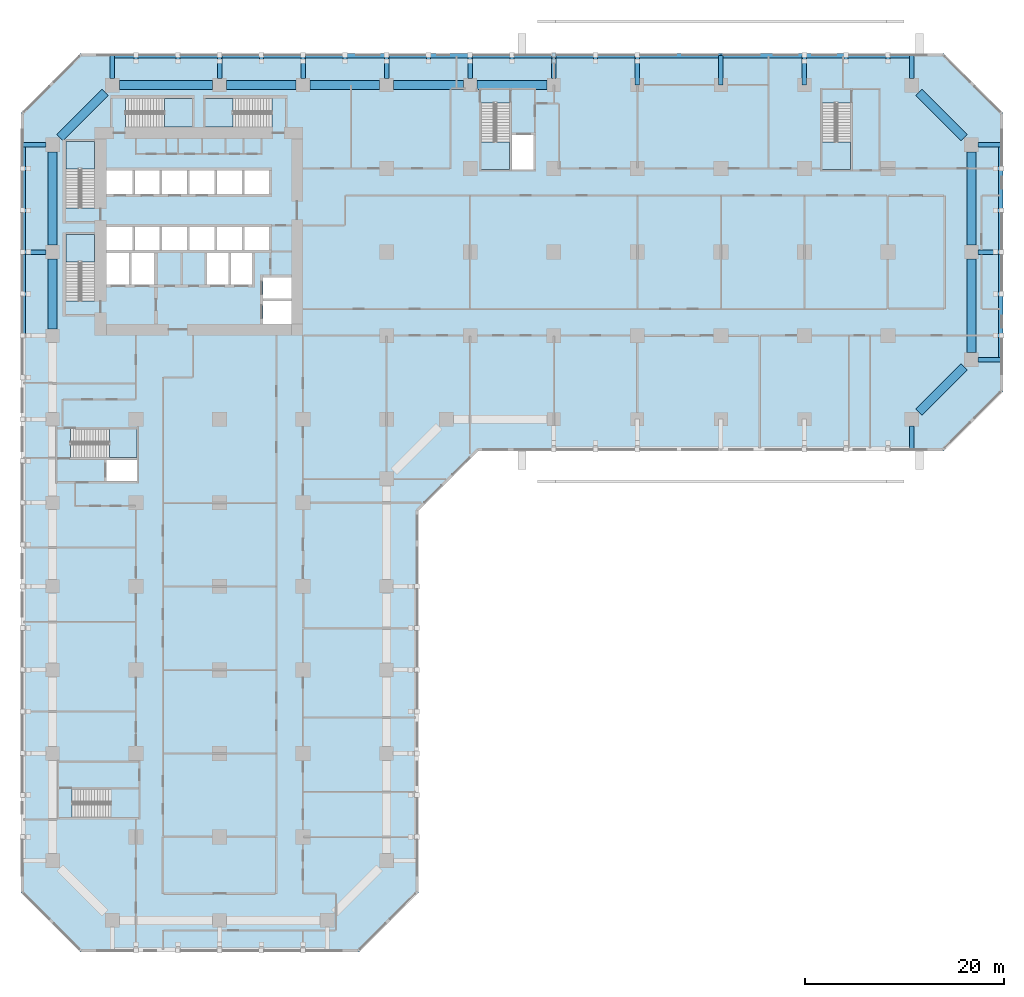
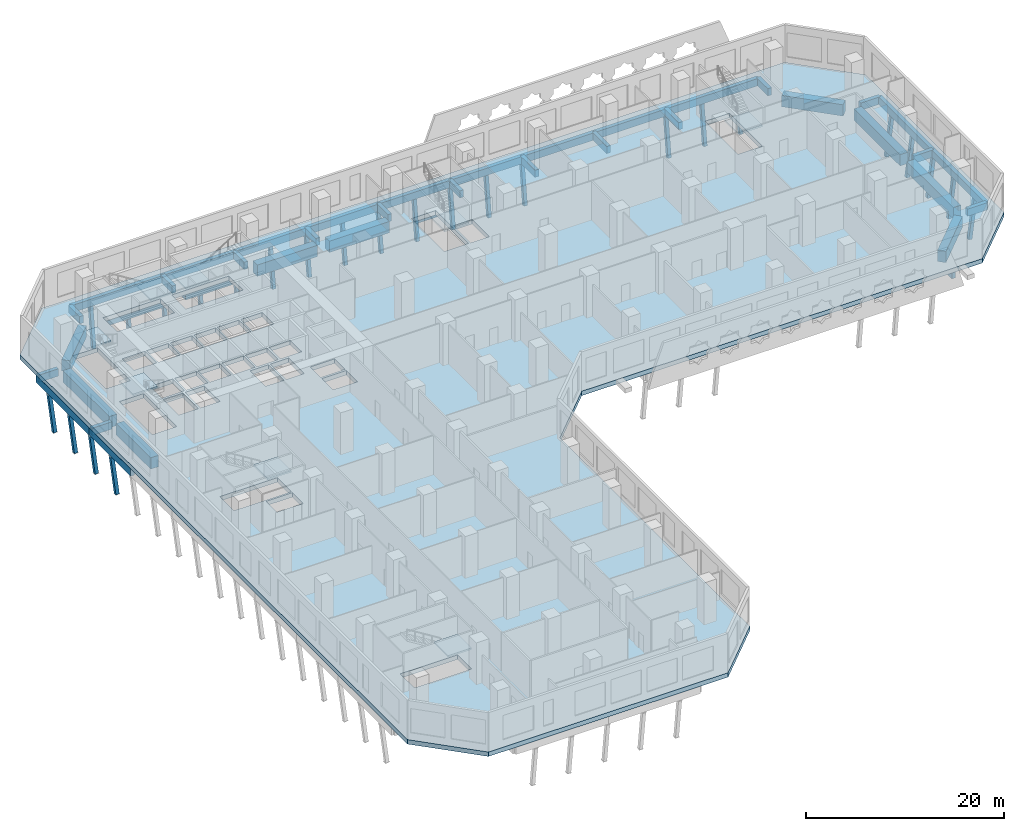
# One storey, part 2 of 21: 41 beams, 25 members, 9 slabs, 8 elements without a shape of their own.
"""IFC4 building model written with IfcOpenShell, lengths in metres."""

from ifc_helpers import new_model, si_unit, direction, frame, origin, origin_2d, place, context, subcontext, project, spatial, polyline, rectangle, hollow_rectangle, outline, extrude, material, layer, layer_set, material_profile, profile_set, type_object, element, aggregate, save


model = new_model("IFC4")

# Units and contexts
model_context = context("Model", 3, precision=1e-05, world=origin(), true_north=direction((0.0, 1.0)))
body_context = subcontext(model_context, "Body", "Model", "MODEL_VIEW")
ifc_project = project(units=[si_unit("LENGTHUNIT", "METRE"), si_unit("AREAUNIT", "SQUARE_METRE"), si_unit("VOLUMEUNIT", "CUBIC_METRE"), si_unit("PLANEANGLEUNIT", "RADIAN"), si_unit("MASSUNIT", "GRAM", prefix="KILO")], contexts=[model_context])

# Site, building, storey
site_placement = place(None, origin())
site = spatial("IfcSite", under=ifc_project, at=site_placement, CompositionType="ELEMENT")
building_placement = place(site_placement, origin())
building = spatial("IfcBuilding", under=site, at=building_placement, Name="Kawkab Arch Medical Tower", CompositionType="ELEMENT")
storey_placement = place(building_placement, frame((0.0, 0.0, 23.800048828125)))
storey = spatial("IfcBuildingStorey", under=building, at=storey_placement, Name="L05", CompositionType="ELEMENT", Elevation=23.800048828125)

# Beams
ifc_material_1 = material(Name="Concrete C60/75", Category="concrete")
ifc_material_profile_1 = material_profile(ifc_material_1, rectangle(XDim=0.449951171875, YDim=0.89990234375, at=origin_2d()), Name="RC 450x900")
ifc_profile_set_1 = profile_set([ifc_material_profile_1], Name="Concrete C60/75")
beam_type_1 = type_object("IfcBeamType", Name="Podium edge beam RC 450x900 C60/75", PredefinedType="BEAM", material=ifc_profile_set_1)
beam_1_placement = place(storey_placement, frame((-2.97509765625, -6.0, -1.0), z_axis=(0.0, -1.0, 0.0), x_axis=(1.0, 0.0, 0.0)))
element("IfcBeam", 1, at=beam_1_placement, inside=storey, type_object=beam_type_1, Name="Podium edge beam L05 R01.1", PredefinedType="BEAM", context=body_context, shape_type="SweptSolid", body=[
    extrude(rectangle(XDim=0.449951171875, YDim=0.89990234375, at=origin_2d()), origin(), (0.0, 0.0, 1.0), 10.800048828125),
])
beam_2_placement = place(storey_placement, frame((-2.97509765625, -16.800048828125, -1.0), z_axis=(0.0, -1.0, 0.0), x_axis=(1.0, 0.0, 0.0)))
element("IfcBeam", 2, at=beam_2_placement, inside=storey, type_object=beam_type_1, Name="Podium edge beam L05 R01.2", PredefinedType="BEAM", context=body_context, shape_type="SweptSolid", body=[
    extrude(rectangle(XDim=0.449951171875, YDim=0.89990234375, at=origin_2d()), origin(), (0.0, 0.0, 1.0), 8.39990234375),
])
beam_3_placement = place(storey_placement, frame((-0.675048828125, -6.0, -1.0), z_axis=(-1.0, 0.0, 0.0), x_axis=(0.0, -1.0, 0.0)))
element("IfcBeam", 3, at=beam_3_placement, inside=storey, type_object=beam_type_1, Name="Podium cantilever beam L05 R01.1", PredefinedType="BEAM", context=body_context, shape_type="SweptSolid", body=[
    extrude(rectangle(XDim=0.449951171875, YDim=0.89990234375, at=origin_2d()), origin(), (0.0, 0.0, 1.0), 2.300048828125),
])
beam_4_placement = place(storey_placement, frame((-0.64990234375, -16.800048828125, -1.0), z_axis=(-1.0, 0.0, 0.0), x_axis=(0.0, -1.0, 0.0)))
element("IfcBeam", 4, at=beam_4_placement, inside=storey, type_object=beam_type_1, Name="Podium cantilever beam L05 R01.2", PredefinedType="BEAM", context=body_context, shape_type="SweptSolid", body=[
    extrude(rectangle(XDim=0.449951171875, YDim=0.89990234375, at=origin_2d()), origin(), (0.0, 0.0, 1.0), 2.3251953125),
])
beam_5_placement = place(storey_placement, frame((86.39990234375, -34.27490234375, -1.0), z_axis=(0.0, -1.0, 0.0), x_axis=(1.0, 0.0, 0.0)))
element("IfcBeam", 5, at=beam_5_placement, inside=storey, type_object=beam_type_1, Name="Podium cantilever beam L05 R07.5", PredefinedType="BEAM", context=body_context, shape_type="SweptSolid", body=[
    extrude(rectangle(XDim=0.449951171875, YDim=0.89990234375, at=origin_2d()), origin(), (0.0, 0.0, 1.0), 2.300048828125),
])
for number, where, z_axis, x_axis, name in (
    (6, (95.375, -27.60009765625, -1.0), (0.0, 1.0, 0.0), (-1.0, 0.0, 0.0), "Podium edge beam L05 R09.1"),
    (7, (95.375, -16.800048828125, -1.0), (0.0, 1.0, 0.0), (-1.0, 0.0, 0.0), "Podium edge beam L05 R09.2"),
):
    element("IfcBeam", number, at=place(storey_placement, frame(where, z_axis=z_axis, x_axis=x_axis)), inside=storey, type_object=beam_type_1, Name=name, PredefinedType="BEAM", context=body_context, shape_type="SweptSolid", body=[
        extrude(rectangle(XDim=0.449951171875, YDim=0.89990234375, at=origin_2d()), origin(), (0.0, 0.0, 1.0), 10.800048828125),
    ])
beam_6_placement = place(storey_placement, frame((93.074951171875, -27.60009765625, -1.0), z_axis=(1.0, 0.0, 0.0), x_axis=(0.0, 1.0, 0.0)))
element("IfcBeam", 8, at=beam_6_placement, inside=storey, type_object=beam_type_1, Name="Podium cantilever beam L05 R09.1", PredefinedType="BEAM", context=body_context, shape_type="SweptSolid", body=[
    extrude(rectangle(XDim=0.449951171875, YDim=0.89990234375, at=origin_2d()), origin(), (0.0, 0.0, 1.0), 2.300048828125),
])
beam_7_placement = place(storey_placement, frame((93.050048828125, -16.800048828125, -1.0), z_axis=(1.0, 0.0, 0.0), x_axis=(0.0, 1.0, 0.0)))
element("IfcBeam", 9, at=beam_7_placement, inside=storey, type_object=beam_type_1, Name="Podium cantilever beam L05 R09.2", PredefinedType="BEAM", context=body_context, shape_type="SweptSolid", body=[
    extrude(rectangle(XDim=0.449951171875, YDim=0.89990234375, at=origin_2d()), origin(), (0.0, 0.0, 1.0), 2.324951171875),
])
beam_8_placement = place(storey_placement, frame((93.074951171875, -6.0, -1.0), z_axis=(1.0, 0.0, 0.0), x_axis=(0.0, 1.0, 0.0)))
element("IfcBeam", 10, at=beam_8_placement, inside=storey, type_object=beam_type_1, Name="Podium cantilever beam L05 R09.3", PredefinedType="BEAM", context=body_context, shape_type="SweptSolid", body=[
    extrude(rectangle(XDim=0.449951171875, YDim=0.89990234375, at=origin_2d()), origin(), (0.0, 0.0, 1.0), 2.300048828125),
])
beam_9_placement = place(storey_placement, frame((86.39990234375, 2.97509765625, -1.0), z_axis=(-1.0, 0.0, 0.0), x_axis=(0.0, -1.0, 0.0)))
element("IfcBeam", 11, at=beam_9_placement, inside=storey, type_object=beam_type_1, Name="Podium edge beam L05 R11.1", PredefinedType="BEAM", context=body_context, shape_type="SweptSolid", body=[
    extrude(rectangle(XDim=0.449951171875, YDim=0.89990234375, at=origin_2d()), origin(), (0.0, 0.0, 1.0), 10.7998046875),
])
beam_10_placement = place(storey_placement, frame((75.60009765625, 2.97509765625, -1.0), z_axis=(-1.0, 0.0, 0.0), x_axis=(0.0, -1.0, 0.0)))
element("IfcBeam", 12, at=beam_10_placement, inside=storey, type_object=beam_type_1, Name="Podium edge beam L05 R11.2", PredefinedType="BEAM", context=body_context, shape_type="SweptSolid", body=[
    extrude(rectangle(XDim=0.449951171875, YDim=0.89990234375, at=origin_2d()), origin(), (0.0, 0.0, 1.0), 8.400146484375),
])
beam_11_placement = place(storey_placement, frame((67.199951171875, 2.97509765625, -1.0), z_axis=(-1.0, 0.0, 0.0), x_axis=(0.0, -1.0, 0.0)))
element("IfcBeam", 13, at=beam_11_placement, inside=storey, type_object=beam_type_1, Name="Podium edge beam L05 R11.3", PredefinedType="BEAM", context=body_context, shape_type="SweptSolid", body=[
    extrude(rectangle(XDim=0.449951171875, YDim=0.89990234375, at=origin_2d()), origin(), (0.0, 0.0, 1.0), 8.39990234375),
])
beam_12_placement = place(storey_placement, frame((58.800048828125, 2.97509765625, -1.0), z_axis=(-1.0, 0.0, 0.0), x_axis=(0.0, -1.0, 0.0)))
element("IfcBeam", 14, at=beam_12_placement, inside=storey, type_object=beam_type_1, Name="Podium edge beam L05 R11.4", PredefinedType="BEAM", context=body_context, shape_type="SweptSolid", body=[
    extrude(rectangle(XDim=0.449951171875, YDim=0.89990234375, at=origin_2d()), origin(), (0.0, 0.0, 1.0), 8.400146484375),
])
for number, where, z_axis, x_axis, name in (
    (15, (50.39990234375, 2.97509765625, -1.0), (-1.0, 0.0, 0.0), (0.0, -1.0, 0.0), "Podium edge beam L05 R11.5"),
    (16, (42.0, 2.97509765625, -1.0), (-1.0, 0.0, 0.0), (0.0, -1.0, 0.0), "Podium edge beam L05 R11.6"),
):
    element("IfcBeam", number, at=place(storey_placement, frame(where, z_axis=z_axis, x_axis=x_axis)), inside=storey, type_object=beam_type_1, Name=name, PredefinedType="BEAM", context=body_context, shape_type="SweptSolid", body=[
        extrude(rectangle(XDim=0.449951171875, YDim=0.89990234375, at=origin_2d()), origin(), (0.0, 0.0, 1.0), 8.39990234375),
    ])
beam_13_placement = place(storey_placement, frame((33.60009765625, 2.97509765625, -1.0), z_axis=(-1.0, 0.0, 0.0), x_axis=(0.0, -1.0, 0.0)))
element("IfcBeam", 17, at=beam_13_placement, inside=storey, type_object=beam_type_1, Name="Podium edge beam L05 R11.7", PredefinedType="BEAM", context=body_context, shape_type="SweptSolid", body=[
    extrude(rectangle(XDim=0.449951171875, YDim=0.89990234375, at=origin_2d()), origin(), (0.0, 0.0, 1.0), 8.400146484375),
])
beam_14_placement = place(storey_placement, frame((25.199951171875, 2.97509765625, -1.0), z_axis=(-1.0, 0.0, 0.0), x_axis=(0.0, -1.0, 0.0)))
element("IfcBeam", 18, at=beam_14_placement, inside=storey, type_object=beam_type_1, Name="Podium edge beam L05 R11.8", PredefinedType="BEAM", context=body_context, shape_type="SweptSolid", body=[
    extrude(rectangle(XDim=0.449951171875, YDim=0.89990234375, at=origin_2d()), origin(), (0.0, 0.0, 1.0), 8.39990234375),
])
beam_15_placement = place(storey_placement, frame((16.800048828125, 2.97509765625, -1.0), z_axis=(-1.0, 0.0, 0.0), x_axis=(0.0, -1.0, 0.0)))
element("IfcBeam", 19, at=beam_15_placement, inside=storey, type_object=beam_type_1, Name="Podium edge beam L05 R11.9", PredefinedType="BEAM", context=body_context, shape_type="SweptSolid", body=[
    extrude(rectangle(XDim=0.449951171875, YDim=0.89990234375, at=origin_2d()), origin(), (0.0, 0.0, 1.0), 10.800048828125),
])
beam_16_placement = place(storey_placement, frame((86.39990234375, 0.675048828125, -1.0), z_axis=(0.0, 1.0, 0.0), x_axis=(-1.0, 0.0, 0.0)))
element("IfcBeam", 20, at=beam_16_placement, inside=storey, type_object=beam_type_1, Name="Podium cantilever beam L05 R11.1", PredefinedType="BEAM", context=body_context, shape_type="SweptSolid", body=[
    extrude(rectangle(XDim=0.449951171875, YDim=0.89990234375, at=origin_2d()), origin(), (0.0, 0.0, 1.0), 2.300048828125),
])
for number, where, z_axis, x_axis, name in (
    (21, (75.60009765625, -0.010009765625, -1.0), (0.0, 1.0, 0.0), (-1.0, 0.0, 0.0), "Podium cantilever beam L05 R11.2"),
    (22, (67.199951171875, -0.010009765625, -1.0), (0.0, 1.0, 0.0), (-1.0, 0.0, 0.0), "Podium cantilever beam L05 R11.3"),
    (23, (58.800048828125, -0.010009765625, -1.0), (0.0, 1.0, 0.0), (-1.0, 0.0, 0.0), "Podium cantilever beam L05 R11.4"),
):
    element("IfcBeam", number, at=place(storey_placement, frame(where, z_axis=z_axis, x_axis=x_axis)), inside=storey, type_object=beam_type_1, Name=name, PredefinedType="BEAM", context=body_context, shape_type="SweptSolid", body=[
        extrude(rectangle(XDim=0.449951171875, YDim=0.89990234375, at=origin_2d()), origin(), (0.0, 0.0, 1.0), 2.985107421875),
    ])
for number, where, z_axis, x_axis, name in (
    (24, (50.39990234375, 0.64990234375, -1.0), (0.0, 1.0, 0.0), (-1.0, 0.0, 0.0), "Podium cantilever beam L05 R11.5"),
    (25, (42.0, 0.64990234375, -1.0), (0.0, 1.0, 0.0), (-1.0, 0.0, 0.0), "Podium cantilever beam L05 R11.6"),
    (26, (33.60009765625, 0.64990234375, -1.0), (0.0, 1.0, 0.0), (-1.0, 0.0, 0.0), "Podium cantilever beam L05 R11.7"),
    (27, (25.199951171875, 0.64990234375, -1.0), (0.0, 1.0, 0.0), (-1.0, 0.0, 0.0), "Podium cantilever beam L05 R11.8"),
    (28, (16.800048828125, 0.64990234375, -1.0), (0.0, 1.0, 0.0), (-1.0, 0.0, 0.0), "Podium cantilever beam L05 R11.9"),
):
    element("IfcBeam", number, at=place(storey_placement, frame(where, z_axis=z_axis, x_axis=x_axis)), inside=storey, type_object=beam_type_1, Name=name, PredefinedType="BEAM", context=body_context, shape_type="SweptSolid", body=[
        extrude(rectangle(XDim=0.449951171875, YDim=0.89990234375, at=origin_2d()), origin(), (0.0, 0.0, 1.0), 2.3251953125),
    ])
beam_17_placement = place(storey_placement, frame((6.0, 0.675048828125, -1.0), z_axis=(0.0, 1.0, 0.0), x_axis=(-1.0, 0.0, 0.0)))
element("IfcBeam", 29, at=beam_17_placement, inside=storey, type_object=beam_type_1, Name="Podium cantilever beam L05 R11.10", PredefinedType="BEAM", context=body_context, shape_type="SweptSolid", body=[
    extrude(rectangle(XDim=0.449951171875, YDim=0.89990234375, at=origin_2d()), origin(), (0.0, 0.0, 1.0), 2.300048828125),
])

# Members
ifc_material_2 = material(Name="Steel S355", Category="steel")
ifc_material_profile_2 = material_profile(ifc_material_2, hollow_rectangle(XDim=0.39990234375, YDim=0.39990234375, WallThickness=0.01611328125, at=origin_2d()), Name="SHS 400x400x16")
ifc_profile_set_2 = profile_set([ifc_material_profile_2], Name="Steel S355")
member_type = type_object("IfcMemberType", Name="Podium raking strut SHS 400x400x16", PredefinedType="STRUT", material=ifc_profile_set_2)
for number, where, z_axis, x_axis, name in (
    (30, (-2.402587890625, -8.39990234375, -6.380126953125), (-0.126414007118, 0.0, 0.991977569708), (0.0, -1.0, 0.0), "Raking strut L05 1"),
    (31, (-2.402587890625, -12.60009765625, -6.380126953125), (-0.126414007118, 0.0, 0.991977569708), (0.0, -1.0, 0.0), "Raking strut L05 2"),
    (32, (-2.402587890625, -16.800048828125, -6.380126953125), (-0.126414007118, 0.0, 0.991977569708), (0.0, -1.0, 0.0), "Raking strut L05 3"),
    (33, (-2.402587890625, -21.0, -6.380126953125), (-0.126414007118, 0.0, 0.991977569708), (0.0, -1.0, 0.0), "Raking strut L05 4"),
    (34, (94.802490234375, -8.39990234375, -6.380126953125), (0.126462541135, 0.0, 0.991971383503), (0.0, 1.0, 0.0), "Raking strut L05 36"),
    (35, (94.802490234375, -12.60009765625, -6.380126953125), (0.126462541135, 0.0, 0.991971383503), (0.0, 1.0, 0.0), "Raking strut L05 37"),
    (36, (94.802490234375, -16.800048828125, -6.380126953125), (0.126462541135, 0.0, 0.991971383503), (0.0, 1.0, 0.0), "Raking strut L05 38"),
    (37, (94.802490234375, -21.0, -6.380126953125), (0.126462541135, 0.0, 0.991971383503), (0.0, 1.0, 0.0), "Raking strut L05 39"),
    (38, (94.802490234375, -25.199951171875, -6.380126953125), (0.126462541135, 0.0, 0.991971383503), (0.0, 1.0, 0.0), "Raking strut L05 40"),
    (39, (8.39990234375, 2.402587890625, -6.380126953125), (0.0, 0.126414007118, 0.991977569708), (-1.0, 0.0, 0.0), "Raking strut L05 41"),
    (40, (12.60009765625, 2.402587890625, -6.380126953125), (0.0, 0.126414007118, 0.991977569708), (-1.0, 0.0, 0.0), "Raking strut L05 42"),
    (41, (16.800048828125, 2.402587890625, -6.380126953125), (0.0, 0.126414007118, 0.991977569708), (-1.0, 0.0, 0.0), "Raking strut L05 43"),
    (42, (21.0, 2.402587890625, -6.380126953125), (0.0, 0.126414007118, 0.991977569708), (-1.0, 0.0, 0.0), "Raking strut L05 44"),
    (43, (25.199951171875, 2.402587890625, -6.380126953125), (0.0, 0.126414007118, 0.991977569708), (-1.0, 0.0, 0.0), "Raking strut L05 45"),
    (44, (29.39990234375, 2.402587890625, -6.380126953125), (0.0, 0.126414007118, 0.991977569708), (-1.0, 0.0, 0.0), "Raking strut L05 46"),
    (45, (33.60009765625, 2.402587890625, -6.380126953125), (0.0, 0.126414007118, 0.991977569708), (-1.0, 0.0, 0.0), "Raking strut L05 47"),
    (46, (37.800048828125, 2.402587890625, -6.380126953125), (0.0, 0.126414007118, 0.991977569708), (-1.0, 0.0, 0.0), "Raking strut L05 48"),
    (47, (42.0, 2.402587890625, -6.380126953125), (0.0, 0.126414007118, 0.991977569708), (-1.0, 0.0, 0.0), "Raking strut L05 49"),
    (48, (46.199951171875, 2.402587890625, -6.380126953125), (0.0, 0.126414007118, 0.991977569708), (-1.0, 0.0, 0.0), "Raking strut L05 50"),
    (49, (50.39990234375, 2.402587890625, -6.380126953125), (0.0, 0.126414007118, 0.991977569708), (-1.0, 0.0, 0.0), "Raking strut L05 51"),
    (50, (54.60009765625, 2.402587890625, -6.380126953125), (0.0, 0.126414007118, 0.991977569708), (-1.0, 0.0, 0.0), "Raking strut L05 52"),
    (51, (58.800048828125, 2.402587890625, -6.380126953125), (0.0, 0.126414007118, 0.991977569708), (-1.0, 0.0, 0.0), "Raking strut L05 53"),
    (52, (75.60009765625, 2.402587890625, -6.380126953125), (0.0, 0.126414007118, 0.991977569708), (-1.0, 0.0, 0.0), "Raking strut L05 54"),
    (53, (79.800048828125, 2.402587890625, -6.380126953125), (0.0, 0.126414007118, 0.991977569708), (-1.0, 0.0, 0.0), "Raking strut L05 55"),
    (54, (84.0, 2.402587890625, -6.380126953125), (0.0, 0.126414007118, 0.991977569708), (-1.0, 0.0, 0.0), "Raking strut L05 56"),
):
    element("IfcMember", number, at=place(storey_placement, frame(where, z_axis=z_axis, x_axis=x_axis)), inside=storey, type_object=member_type, Name=name, PredefinedType="STRUT", context=body_context, shape_type="SweptSolid", body=[
        extrude(hollow_rectangle(XDim=0.39990234375, YDim=0.39990234375, WallThickness=0.01611328125, at=origin_2d()), origin(), (0.0, 0.0, 1.0), 4.949951171875),
    ])

# Beams
ifc_material_3 = material(Name="Concrete C60/75", Category="concrete")
ifc_material_profile_3 = material_profile(ifc_material_3, rectangle(XDim=0.89990234375, YDim=1.39990234375, at=origin_2d()), Name="RC 900x1400")
ifc_profile_set_3 = profile_set([ifc_material_profile_3], Name="Concrete C60/75")
beam_type_2 = type_object("IfcBeamType", Name="RC 900x1400 beam C60/75", PredefinedType="BEAM", material=ifc_profile_set_3)
beam_18_placement = place(storey_placement, frame((0.0, -6.72509765625, -1.25), z_axis=(0.0, -1.0, 0.0), x_axis=(1.0, 0.0, 0.0)))
element("IfcBeam", 55, at=beam_18_placement, inside=storey, type_object=beam_type_2, Name="Podium edge beam L05-01", PredefinedType="BEAM", context=body_context, shape_type="SweptSolid", body=[
    extrude(rectangle(XDim=0.89990234375, YDim=1.39990234375, at=origin_2d()), origin(), (0.0, 0.0, 1.0), 9.375),
])
beam_19_placement = place(storey_placement, frame((0.0, -17.5, -1.25), z_axis=(0.0, -1.0, 0.0), x_axis=(1.0, 0.0, 0.0)))
element("IfcBeam", 56, at=beam_19_placement, inside=storey, type_object=beam_type_2, Name="Podium edge beam L05-02", PredefinedType="BEAM", context=body_context, shape_type="SweptSolid", body=[
    extrude(rectangle(XDim=0.89990234375, YDim=1.39990234375, at=origin_2d()), origin(), (0.0, 0.0, 1.0), 7.0),
])
beam_20_placement = place(storey_placement, frame((87.125, -32.875, -1.25), z_axis=(0.707106781187, 0.707106781187, 0.0), x_axis=(-0.707106781187, 0.707106781187, 0.0)))
element("IfcBeam", 57, at=beam_20_placement, inside=storey, type_object=beam_type_2, Name="Podium edge beam L05-19", PredefinedType="BEAM", context=body_context, shape_type="SweptSolid", body=[
    extrude(rectangle(XDim=0.89990234375, YDim=1.39990234375, at=origin_2d()), origin(), (0.0, 0.0, 1.0), 6.434814453125),
])
for number, where, z_axis, x_axis, name in (
    (58, (92.39990234375, -26.875, -1.25), (0.0, 1.0, 0.0), (-1.0, 0.0, 0.0), "Podium edge beam L05-20"),
    (59, (92.39990234375, -16.10009765625, -1.25), (0.0, 1.0, 0.0), (-1.0, 0.0, 0.0), "Podium edge beam L05-21"),
):
    element("IfcBeam", number, at=place(storey_placement, frame(where, z_axis=z_axis, x_axis=x_axis)), inside=storey, type_object=beam_type_2, Name=name, PredefinedType="BEAM", context=body_context, shape_type="SweptSolid", body=[
        extrude(rectangle(XDim=0.89990234375, YDim=1.39990234375, at=origin_2d()), origin(), (0.0, 0.0, 1.0), 9.375),
    ])
beam_21_placement = place(storey_placement, frame((91.675048828125, -5.27490234375, -1.25), z_axis=(-0.707125751951, 0.707087809913, 0.0), x_axis=(-0.707087809913, -0.707125751951, 0.0)))
element("IfcBeam", 60, at=beam_21_placement, inside=storey, type_object=beam_type_2, Name="Podium edge beam L05-22", PredefinedType="BEAM", context=body_context, shape_type="SweptSolid", body=[
    extrude(rectangle(XDim=0.89990234375, YDim=1.39990234375, at=origin_2d()), origin(), (0.0, 0.0, 1.0), 6.4345703125),
])
for number, where, z_axis, x_axis, name in (
    (61, (49.699951171875, 0.0, -1.25), (-1.0, 0.0, 0.0), (0.0, -1.0, 0.0), "Podium edge beam L05-23"),
    (62, (41.300048828125, 0.0, -1.25), (-1.0, 0.0, 0.0), (0.0, -1.0, 0.0), "Podium edge beam L05-24"),
    (63, (32.89990234375, 0.0, -1.25), (-1.0, 0.0, 0.0), (0.0, -1.0, 0.0), "Podium edge beam L05-25"),
    (64, (24.5, 0.0, -1.25), (-1.0, 0.0, 0.0), (0.0, -1.0, 0.0), "Podium edge beam L05-26"),
):
    element("IfcBeam", number, at=place(storey_placement, frame(where, z_axis=z_axis, x_axis=x_axis)), inside=storey, type_object=beam_type_2, Name=name, PredefinedType="BEAM", context=body_context, shape_type="SweptSolid", body=[
        extrude(rectangle(XDim=0.89990234375, YDim=1.39990234375, at=origin_2d()), origin(), (0.0, 0.0, 1.0), 7.0),
    ])
beam_22_placement = place(storey_placement, frame((16.10009765625, 0.0, -1.25), z_axis=(-1.0, 0.0, 0.0), x_axis=(0.0, -1.0, 0.0)))
element("IfcBeam", 65, at=beam_22_placement, inside=storey, type_object=beam_type_2, Name="Podium edge beam L05-27", PredefinedType="BEAM", context=body_context, shape_type="SweptSolid", body=[
    extrude(rectangle(XDim=0.89990234375, YDim=1.39990234375, at=origin_2d()), origin(), (0.0, 0.0, 1.0), 9.375),
])
beam_23_placement = place(storey_placement, frame((5.27490234375, -0.72509765625, -1.25), z_axis=(-0.707106781187, -0.707106781187, 0.0), x_axis=(0.707106781187, -0.707106781187, 0.0)))
element("IfcBeam", 66, at=beam_23_placement, inside=storey, type_object=beam_type_2, Name="Podium edge beam L05-28", PredefinedType="BEAM", context=body_context, shape_type="SweptSolid", body=[
    extrude(rectangle(XDim=0.89990234375, YDim=1.39990234375, at=origin_2d()), origin(), (0.0, 0.0, 1.0), 6.434326171875),
])

# Stair, slab
ifc_material_4 = material(Name="Concrete C40/50", Category="concrete")
stair_type = type_object("IfcStairType", Name="Exit stair 1350", PredefinedType="HALF_TURN_STAIR", material=ifc_material_4)
placement_1 = place(storey_placement, origin())
stair_1 = element("IfcStair", 67, at=placement_1, inside=storey, type_object=stair_type, Name="L05 Exit stair ST1", PredefinedType="HALF_TURN_STAIR")
ifc_material_5 = material(Name="Concrete C40/50", Category="concrete")
ifc_layer_1 = layer(ifc_material_5, 0.199951171875)
ifc_layer_set_1 = layer_set([ifc_layer_1], Name="Concrete C40/50")
slab_type_1 = type_object("IfcSlabType", Name="Exit stair landing 200", PredefinedType="LANDING", material=ifc_layer_set_1)
placement_2 = place(storey_placement, frame((0.0, 0.0, 2.39990234375)))
slab_1 = element("IfcSlab", 68, at=placement_2, type_object=slab_type_1, Name="ST1 landing 1", PredefinedType="LANDING", context=body_context, shape_type="SweptSolid", body=[
    extrude(outline(polyline([(4.199951171875, -8.429931640625), (4.199951171875, -5.64990234375), (1.35009765625, -5.64990234375), (1.35009765625, -8.429931640625), (4.199951171875, -8.429931640625)])), origin(), (0.0, 0.0, 1.0), 0.199951171875),
])
aggregate(stair_1, [slab_1])

stair_2 = element("IfcStair", 69, at=placement_1, inside=storey, type_object=stair_type, Name="L05 Exit stair ST10", PredefinedType="HALF_TURN_STAIR")
slab_2 = element("IfcSlab", 70, at=placement_2, type_object=slab_type_1, Name="ST10 landing 1", PredefinedType="LANDING", context=body_context, shape_type="SweptSolid", body=[
    extrude(outline(polyline([(5.89501953125, -73.64990234375), (8.675048828125, -73.64990234375), (8.675048828125, -70.800048828125), (5.89501953125, -70.800048828125), (5.89501953125, -73.64990234375)])), origin(), (0.0, 0.0, 1.0), 0.199951171875),
])
aggregate(stair_2, [slab_2])

stair_3 = element("IfcStair", 71, at=placement_1, inside=storey, type_object=stair_type, Name="L05 Exit stair ST2", PredefinedType="HALF_TURN_STAIR")
slab_3 = element("IfcSlab", 72, at=placement_2, type_object=slab_type_1, Name="ST2 landing 1", PredefinedType="LANDING", context=body_context, shape_type="SweptSolid", body=[
    extrude(outline(polyline([(4.199951171875, -17.780029296875), (4.199951171875, -15.0), (1.35009765625, -15.0), (1.35009765625, -17.780029296875), (4.199951171875, -17.780029296875)])), origin(), (0.0, 0.0, 1.0), 0.199951171875),
])
aggregate(stair_3, [slab_3])

stair_4 = element("IfcStair", 73, at=placement_1, inside=storey, type_object=stair_type, Name="L05 Exit stair ST3", PredefinedType="HALF_TURN_STAIR")
slab_4 = element("IfcSlab", 74, at=placement_2, type_object=slab_type_1, Name="ST3 landing 1", PredefinedType="LANDING", context=body_context, shape_type="SweptSolid", body=[
    extrude(outline(polyline([(11.27001953125, -4.199951171875), (14.050048828125, -4.199951171875), (14.050048828125, -1.35009765625), (11.27001953125, -1.35009765625), (11.27001953125, -4.199951171875)])), origin(), (0.0, 0.0, 1.0), 0.199951171875),
])
aggregate(stair_4, [slab_4])

stair_5 = element("IfcStair", 75, at=placement_1, inside=storey, type_object=stair_type, Name="L05 Exit stair ST4", PredefinedType="HALF_TURN_STAIR")
slab_5 = element("IfcSlab", 76, at=placement_2, type_object=slab_type_1, Name="ST4 landing 1", PredefinedType="LANDING", context=body_context, shape_type="SweptSolid", body=[
    extrude(outline(polyline([(18.1298828125, -1.35009765625), (15.35009765625, -1.35009765625), (15.35009765625, -4.199951171875), (18.1298828125, -4.199951171875), (18.1298828125, -1.35009765625)])), origin(), (0.0, 0.0, 1.0), 0.199951171875),
])
aggregate(stair_5, [slab_5])

stair_6 = element("IfcStair", 77, at=placement_1, inside=storey, type_object=stair_type, Name="L05 Exit stair ST5", PredefinedType="HALF_TURN_STAIR")
slab_6 = element("IfcSlab", 78, at=placement_2, type_object=slab_type_1, Name="ST5 landing 1", PredefinedType="LANDING", context=body_context, shape_type="SweptSolid", body=[
    extrude(outline(polyline([(43.10009765625, -5.719970703125), (43.10009765625, -8.5), (45.949951171875, -8.5), (45.949951171875, -5.719970703125), (43.10009765625, -5.719970703125)])), origin(), (0.0, 0.0, 1.0), 0.199951171875),
])
aggregate(stair_6, [slab_6])

stair_7 = element("IfcStair", 79, at=placement_1, inside=storey, type_object=stair_type, Name="L05 Exit stair ST6", PredefinedType="HALF_TURN_STAIR")
slab_7 = element("IfcSlab", 80, at=placement_2, type_object=slab_type_1, Name="ST6 landing 1", PredefinedType="LANDING", context=body_context, shape_type="SweptSolid", body=[
    extrude(outline(polyline([(5.719970703125, -37.449951171875), (8.5, -37.449951171875), (8.5, -34.60009765625), (5.719970703125, -34.60009765625), (5.719970703125, -37.449951171875)])), origin(), (0.0, 0.0, 1.0), 0.199951171875),
])
aggregate(stair_7, [slab_7])

stair_8 = element("IfcStair", 81, at=placement_1, inside=storey, type_object=stair_type, Name="L05 Exit stair ST7", PredefinedType="HALF_TURN_STAIR")
slab_8 = element("IfcSlab", 82, at=placement_2, type_object=slab_type_1, Name="ST7 landing 1", PredefinedType="LANDING", context=body_context, shape_type="SweptSolid", body=[
    extrude(outline(polyline([(77.39990234375, -5.719970703125), (77.39990234375, -8.5), (80.25, -8.5), (80.25, -5.719970703125), (77.39990234375, -5.719970703125)])), origin(), (0.0, 0.0, 1.0), 0.199951171875),
])
aggregate(stair_8, [slab_8])

# Slab
ifc_material_6 = material(Name="Concrete C45/55", Category="concrete")
ifc_layer_2 = layer(ifc_material_6, 0.550048828125)
ifc_layer_set_2 = layer_set([ifc_layer_2], Name="Concrete C45/55")
slab_type_2 = type_object("IfcSlabType", Name="Transfer plate 550 C45/55", PredefinedType="FLOOR", material=ifc_layer_set_2)
slab_9_placement = place(storey_placement, frame((0.0, 0.0, -0.550048828125)))
element("IfcSlab", 83, at=slab_9_placement, inside=storey, type_object=slab_type_2, Name="Floor slab L05", PredefinedType="FLOOR", context=body_context, shape_type="SweptSolid", body=[
    extrude(outline(polyline([(2.800048828125, 3.199951171875), (89.60009765625, 3.199951171875), (95.60009765625, -2.800048828125), (95.60009765625, -30.800048828125), (89.60009765625, -36.800048828125), (42.800048828125, -36.800048828125), (36.800048828125, -42.800048828125), (36.800048828125, -81.199951171875), (30.800048828125, -87.199951171875), (2.800048828125, -87.199951171875), (-3.199951171875, -81.199951171875), (-3.199951171875, -2.800048828125), (2.800048828125, 3.199951171875)]), holes=[polyline([(8.675048828125, -73.64990234375), (8.675048828125, -70.800048828125), (1.97509765625, -70.800048828125), (1.97509765625, -73.64990234375), (8.675048828125, -73.64990234375)]), polyline([(8.5, -37.64990234375), (5.425048828125, -37.64990234375), (5.425048828125, -39.85009765625), (8.5, -39.85009765625), (8.5, -37.64990234375)]), polyline([(1.800048828125, -37.449951171875), (8.5, -37.449951171875), (8.5, -34.60009765625), (1.800048828125, -34.60009765625), (1.800048828125, -37.449951171875)]), polyline([(5.39990234375, -16.89990234375), (5.39990234375, -20.050048828125), (7.675048828125, -20.050048828125), (7.675048828125, -16.89990234375), (5.39990234375, -16.89990234375)]), polyline([(10.199951171875, -20.050048828125), (10.199951171875, -16.89990234375), (7.925048828125, -16.89990234375), (7.925048828125, -20.050048828125), (10.199951171875, -20.050048828125)]), polyline([(4.199951171875, -21.699951171875), (4.199951171875, -15.0), (1.35009765625, -15.0), (1.35009765625, -21.699951171875), (4.199951171875, -21.699951171875)]), polyline([(5.39990234375, -14.25), (5.39990234375, -16.60009765625), (8.050048828125, -16.60009765625), (8.050048828125, -14.25), (5.39990234375, -14.25)]), polyline([(8.25, -14.25), (8.25, -16.60009765625), (10.800048828125, -16.60009765625), (10.800048828125, -14.25), (8.25, -14.25)]), polyline([(13.52490234375, -16.60009765625), (13.52490234375, -14.25), (11.0, -14.25), (11.0, -16.60009765625), (13.52490234375, -16.60009765625)]), polyline([(5.39990234375, -8.60009765625), (5.39990234375, -10.949951171875), (8.050048828125, -10.949951171875), (8.050048828125, -8.60009765625), (5.39990234375, -8.60009765625)]), polyline([(8.25, -8.60009765625), (8.25, -10.949951171875), (10.800048828125, -10.949951171875), (10.800048828125, -8.60009765625), (8.25, -8.60009765625)]), polyline([(13.550048828125, -8.60009765625), (11.0, -8.60009765625), (11.0, -10.949951171875), (13.550048828125, -10.949951171875), (13.550048828125, -8.60009765625)]), polyline([(4.199951171875, -12.35009765625), (4.199951171875, -5.64990234375), (1.35009765625, -5.64990234375), (1.35009765625, -12.35009765625), (4.199951171875, -12.35009765625)]), polyline([(7.35009765625, -4.199951171875), (14.050048828125, -4.199951171875), (14.050048828125, -1.35009765625), (7.35009765625, -1.35009765625), (7.35009765625, -4.199951171875)]), polyline([(24.0, -21.72509765625), (21.14990234375, -21.72509765625), (21.14990234375, -24.0), (24.0, -24.0), (24.0, -21.72509765625)]), polyline([(24.0, -21.47509765625), (24.0, -19.35009765625), (21.14990234375, -19.35009765625), (21.14990234375, -21.47509765625), (24.0, -21.47509765625)]), polyline([(17.675048828125, -16.89990234375), (15.52490234375, -16.89990234375), (15.52490234375, -20.050048828125), (17.675048828125, -20.050048828125), (17.675048828125, -16.89990234375)]), polyline([(17.925048828125, -16.89990234375), (17.925048828125, -20.050048828125), (20.050048828125, -20.050048828125), (20.050048828125, -16.89990234375), (17.925048828125, -16.89990234375)]), polyline([(16.27490234375, -16.60009765625), (16.27490234375, -14.25), (13.77490234375, -14.25), (13.77490234375, -16.60009765625), (16.27490234375, -16.60009765625)]), polyline([(16.52490234375, -14.25), (16.52490234375, -16.60009765625), (19.02490234375, -16.60009765625), (19.02490234375, -14.25), (16.52490234375, -14.25)]), polyline([(21.75, -14.25), (19.27490234375, -14.25), (19.27490234375, -16.60009765625), (21.75, -16.60009765625), (21.75, -14.25)]), polyline([(13.75, -8.60009765625), (13.75, -10.949951171875), (16.300048828125, -10.949951171875), (16.300048828125, -8.60009765625), (13.75, -8.60009765625)]), polyline([(16.5, -10.949951171875), (19.050048828125, -10.949951171875), (19.050048828125, -8.60009765625), (16.5, -8.60009765625), (16.5, -10.949951171875)]), polyline([(19.25, -8.60009765625), (19.25, -10.949951171875), (21.75, -10.949951171875), (21.75, -8.60009765625), (19.25, -8.60009765625)]), polyline([(46.14990234375, -5.02490234375), (46.14990234375, -8.5), (48.35009765625, -8.5), (48.35009765625, -5.02490234375), (46.14990234375, -5.02490234375)]), polyline([(43.10009765625, -1.800048828125), (43.10009765625, -8.5), (45.949951171875, -8.5), (45.949951171875, -1.800048828125), (43.10009765625, -1.800048828125)]), polyline([(77.39990234375, -1.800048828125), (77.39990234375, -8.5), (80.25, -8.5), (80.25, -1.800048828125), (77.39990234375, -1.800048828125)]), polyline([(22.050048828125, -1.35009765625), (15.35009765625, -1.35009765625), (15.35009765625, -4.199951171875), (22.050048828125, -4.199951171875), (22.050048828125, -1.35009765625)])]), origin(), (0.0, 0.0, 1.0), 0.550048828125),
])

save(model, "model.ifc")
